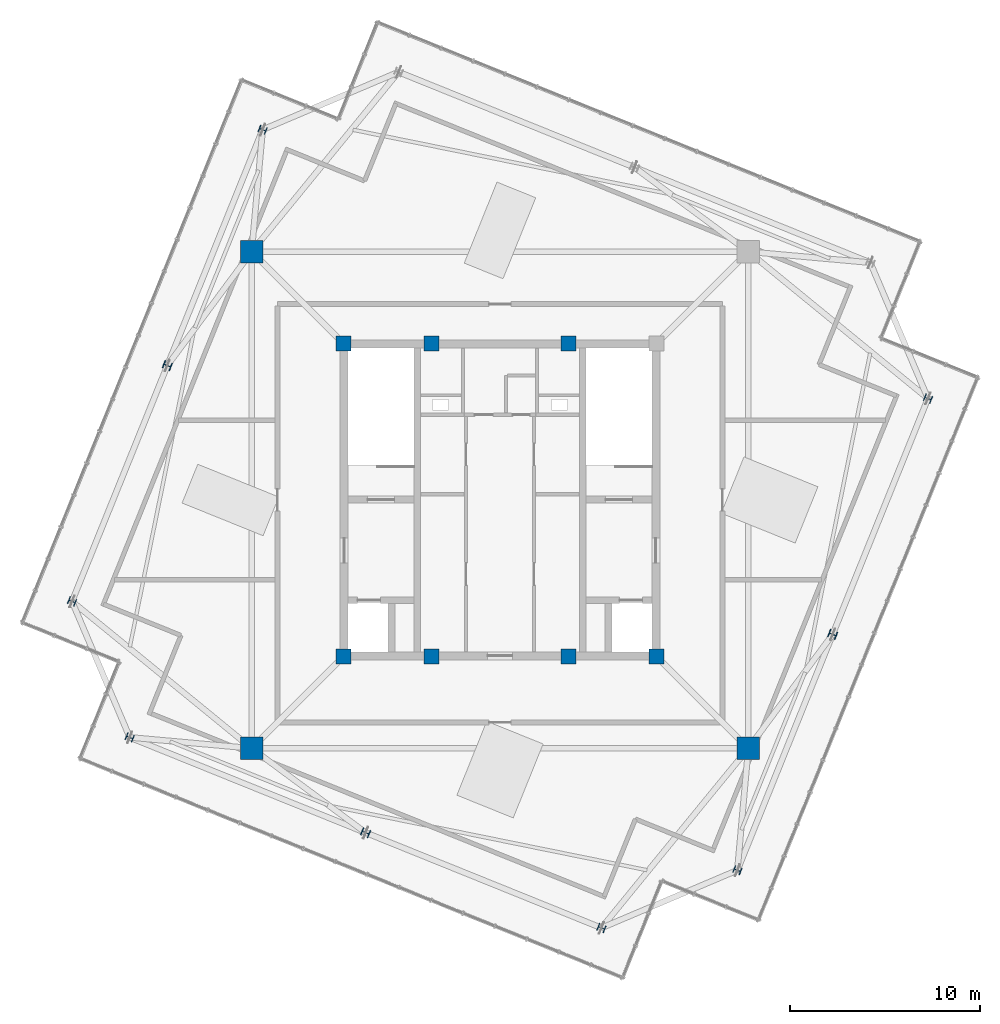
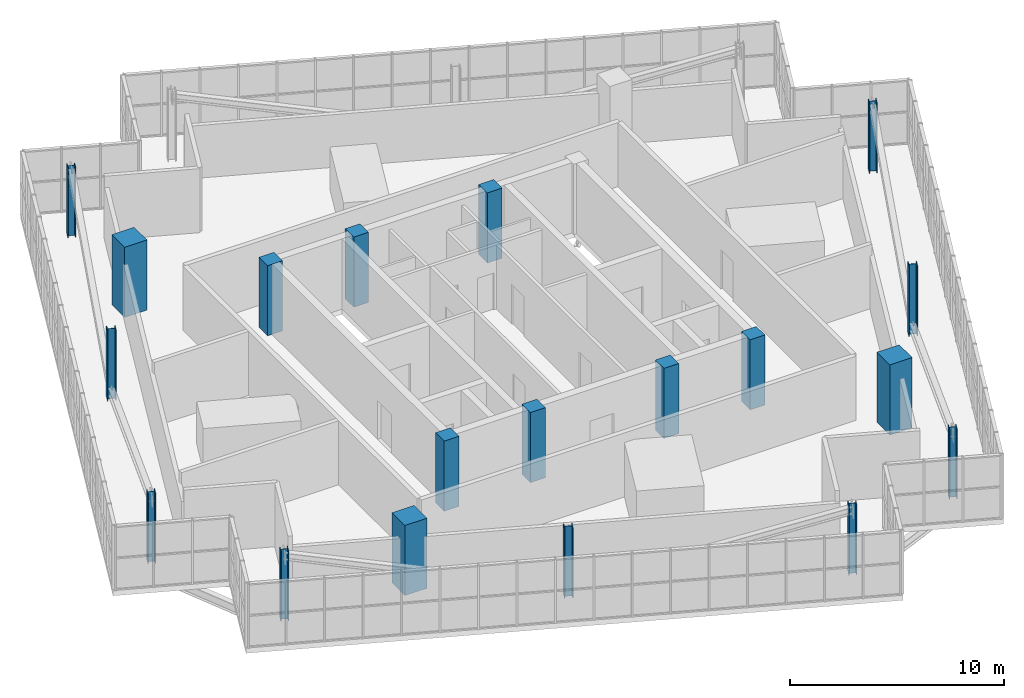
# One storey, part 1 of 26: 19 columns.
"""IFC4 building model written with IfcOpenShell, lengths in metres."""

from ifc_helpers import new_model, si_unit, direction, frame, origin, origin_2d, place, context, subcontext, project, spatial, rectangle, i_section, extrude, source, transform, mapped, material, material_profile, profile_set, type_object, element, save


model = new_model("IFC4")

# Units and contexts
model_context = context("Model", 3, precision=1e-05, world=origin(), true_north=direction((0.0, 1.0)))
body_context = subcontext(model_context, "Body", "Model", "MODEL_VIEW")
ifc_project = project(units=[si_unit("LENGTHUNIT", "METRE"), si_unit("AREAUNIT", "SQUARE_METRE"), si_unit("VOLUMEUNIT", "CUBIC_METRE"), si_unit("PLANEANGLEUNIT", "RADIAN"), si_unit("MASSUNIT", "GRAM", prefix="KILO"), si_unit("THERMODYNAMICTEMPERATUREUNIT", "KELVIN")], contexts=[model_context])

# Site, building, storey
site_placement = place(None, origin())
site = spatial("IfcSite", under=ifc_project, at=site_placement, CompositionType="ELEMENT")
building_placement = place(site_placement, origin())
building = spatial("IfcBuilding", under=site, at=building_placement, Name="Kosmvard Interchange Tower", CompositionType="ELEMENT")
storey_placement = place(building_placement, frame((0.0, 0.0, 341.60009765625)))
storey = spatial("IfcBuildingStorey", under=building, at=storey_placement, Name="L84", CompositionType="ELEMENT", Elevation=341.60009765625)

# Columns
ifc_material_1 = material(Name="Concrete C50/60", Category="concrete")
ifc_material_profile_1 = material_profile(ifc_material_1, rectangle(XDim=0.800048828125, YDim=0.800048828125, at=origin_2d()), Name="CP 800x800")
ifc_profile_set_1 = profile_set([ifc_material_profile_1], Name="Concrete C50/60")
column_type_1 = type_object("IfcColumnType", Name="Core Boundary Pilaster 800x800 C50/60", PredefinedType="PILASTER", material=ifc_profile_set_1)
shared_shape_1 = source(origin(), body_context, "Body", "SweptSolid", [
    extrude(rectangle(XDim=0.800048828125, YDim=0.800048828125, at=origin_2d()), origin(), (0.0, 0.0, 1.0), 4.0),
])
for number, where, z_axis, x_axis, name in (
    (1, (-8.25, -8.25, 0.0), (0.0, 0.0, 1.0), (1.0, 0.0, 0.0), "L84 Core Pilaster CP1"),
    (2, (8.25, -8.25, 0.0), (0.0, 0.0, 1.0), (1.0, 0.0, 0.0), "L84 Core Pilaster CP2"),
    (3, (-8.25, 8.25, 0.0), (0.0, 0.0, 1.0), (1.0, 0.0, 0.0), "L84 Core Pilaster CP4"),
    (4, (-3.60009765625, -8.25, 0.0), (0.0, 0.0, 1.0), (1.0, 0.0, 0.0), "L84 Core Pilaster CP5"),
    (5, (3.60009765625, -8.25, 0.0), (0.0, 0.0, 1.0), (1.0, 0.0, 0.0), "L84 Core Pilaster CP6"),
    (6, (-3.60009765625, 8.25, 0.0), (0.0, 0.0, 1.0), (1.0, 0.0, 0.0), "L84 Core Pilaster CP7"),
    (7, (3.60009765625, 8.25, 0.0), (0.0, 0.0, 1.0), (1.0, 0.0, 0.0), "L84 Core Pilaster CP8"),
):
    element("IfcColumn", number, at=place(storey_placement, frame(where, z_axis=z_axis, x_axis=x_axis)), inside=storey, type_object=column_type_1, Name=name, PredefinedType="PILASTER", context=body_context, shape_type="MappedRepresentation", body=[
        mapped(shared_shape_1, transform((0.0, 0.0, 0.0), scale=1.0)),
    ])
ifc_material_profile_2 = material_profile(ifc_material_1, rectangle(XDim=1.199951171875, YDim=1.199951171875, at=origin_2d()), Name="MC 1200x1200")
ifc_profile_set_2 = profile_set([ifc_material_profile_2], Name="Concrete C50/60")
column_type_2 = type_object("IfcColumnType", Name="Composite Mega-Column 1200x1200 C50/60", PredefinedType="COLUMN", material=ifc_profile_set_2)
shared_shape_2 = source(origin(), body_context, "Body", "SweptSolid", [
    extrude(rectangle(XDim=1.199951171875, YDim=1.199951171875, at=origin_2d()), origin(), (0.0, 0.0, 1.0), 4.0),
])
for number, where, z_axis, x_axis, name in (
    (8, (-13.0810546875, -13.0810546875, 0.0), (0.0, 0.0, 1.0), (1.0, 0.0, 0.0), "L84 Corner Mega-Column MC1"),
    (9, (13.0810546875, -13.0810546875, 0.0), (0.0, 0.0, 1.0), (1.0, 0.0, 0.0), "L84 Corner Mega-Column MC2"),
    (10, (-13.0810546875, 13.0810546875, 0.0), (0.0, 0.0, 1.0), (1.0, 0.0, 0.0), "L84 Corner Mega-Column MC4"),
):
    element("IfcColumn", number, at=place(storey_placement, frame(where, z_axis=z_axis, x_axis=x_axis)), inside=storey, type_object=column_type_2, Name=name, PredefinedType="COLUMN", context=body_context, shape_type="MappedRepresentation", body=[
        mapped(shared_shape_2, transform((0.0, 0.0, 0.0), scale=1.0)),
    ])
ifc_material_2 = material(Name="Steel S355", Category="steel")
ifc_material_profile_3 = material_profile(ifc_material_2, i_section(OverallWidth=0.3759765625, OverallDepth=0.386962890625, WebThickness=0.01953125, FlangeThickness=0.031982421875, FilletRadius=0.014892578125, at=origin_2d()), Name="HD 360x329")
ifc_profile_set_3 = profile_set([ifc_material_profile_3], Name="Steel S355")
column_type_3 = type_object("IfcColumnType", Name="Crown Lantern Corner Post HD 360x329 S355", PredefinedType="COLUMN", material=ifc_profile_set_3)
shared_shape_3 = source(origin(), body_context, "Body", "SweptSolid", [
    extrude(i_section(OverallWidth=0.3759765625, OverallDepth=0.386962890625, WebThickness=0.01953125, FlangeThickness=0.031982421875, FilletRadius=0.014892578125, at=origin_2d()), origin(), (0.0, 0.0, 1.0), 4.0),
])
for number, where, z_axis, x_axis, name in (
    (11, (12.504150390625, -19.50439453125, 0.0), (0.0, 0.0, 1.0), (0.374606593416, 0.927183854567, 0.0), "L84 Crown Frame Leg LL-S1"),
    (12, (22.54345703125, 5.34423828125, 0.0), (0.0, 0.0, 1.0), (0.374606593416, 0.927183854567, 0.0), "L84 Crown Frame Leg LL-S3"),
    (13, (-12.504150390625, 19.50439453125, 0.0), (0.0, 0.0, 1.0), (0.374606593416, 0.927183854567, 0.0), "L84 Crown Frame Leg LL-N1"),
    (14, (-22.54345703125, -5.34423828125, 0.0), (0.0, 0.0, 1.0), (0.374606593416, 0.927183854567, 0.0), "L84 Crown Frame Leg LL-N3"),
    (15, (-19.50439453125, -12.504150390625, 0.0), (0.0, 0.0, 1.0), (0.374606593416, 0.927183854567, 0.0), "L84 Crown Frame Leg LL-W1"),
    (16, (5.34423828125, -22.54345703125, 0.0), (0.0, 0.0, 1.0), (0.374606593416, 0.927183854567, 0.0), "L84 Crown Frame Leg LL-W3"),
):
    element("IfcColumn", number, at=place(storey_placement, frame(where, z_axis=z_axis, x_axis=x_axis)), inside=storey, type_object=column_type_3, Name=name, PredefinedType="COLUMN", context=body_context, shape_type="MappedRepresentation", body=[
        mapped(shared_shape_3, transform((0.0, 0.0, 0.0), scale=1.0)),
    ])
ifc_material_profile_4 = material_profile(ifc_material_2, i_section(OverallWidth=0.408935546875, OverallDepth=0.425048828125, WebThickness=0.02392578125, FlangeThickness=0.0390625, FilletRadius=0.014892578125, at=origin_2d()), Name="HD 400x421")
ifc_profile_set_4 = profile_set([ifc_material_profile_4], Name="Steel S355")
column_type_4 = type_object("IfcColumnType", Name="Crown Lantern Frame Leg HD 400x421 S355", PredefinedType="COLUMN", material=ifc_profile_set_4)
shared_shape_4 = source(origin(), body_context, "Body", "SweptSolid", [
    extrude(i_section(OverallWidth=0.408935546875, OverallDepth=0.425048828125, WebThickness=0.02392578125, FlangeThickness=0.0390625, FilletRadius=0.014892578125, at=origin_2d()), origin(), (0.0, 0.0, 1.0), 4.0),
])
for number, where, z_axis, x_axis, name in (
    (17, (17.523681640625, -7.080078125, 0.0), (0.0, 0.0, 1.0), (0.374606593416, 0.927183854567, 0.0), "L84 Crown Frame Leg LL-S2"),
    (18, (-17.523681640625, 7.080078125, 0.0), (0.0, 0.0, 1.0), (0.374606593416, 0.927183854567, 0.0), "L84 Crown Frame Leg LL-N2"),
    (19, (-7.080078125, -17.523681640625, 0.0), (0.0, 0.0, 1.0), (0.374606593416, 0.927183854567, 0.0), "L84 Crown Frame Leg LL-W2"),
):
    element("IfcColumn", number, at=place(storey_placement, frame(where, z_axis=z_axis, x_axis=x_axis)), inside=storey, type_object=column_type_4, Name=name, PredefinedType="COLUMN", context=body_context, shape_type="MappedRepresentation", body=[
        mapped(shared_shape_4, transform((0.0, 0.0, 0.0), scale=1.0)),
    ])

save(model, "model.ifc")
